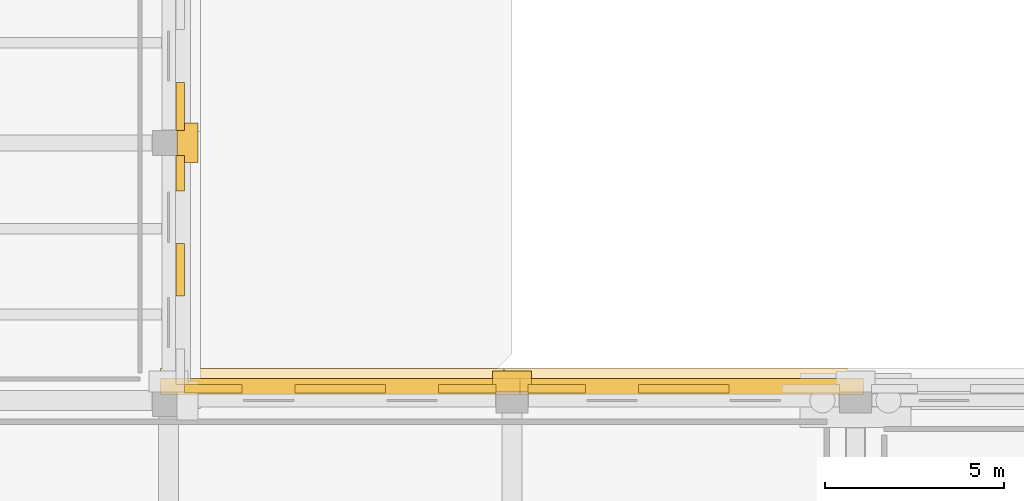
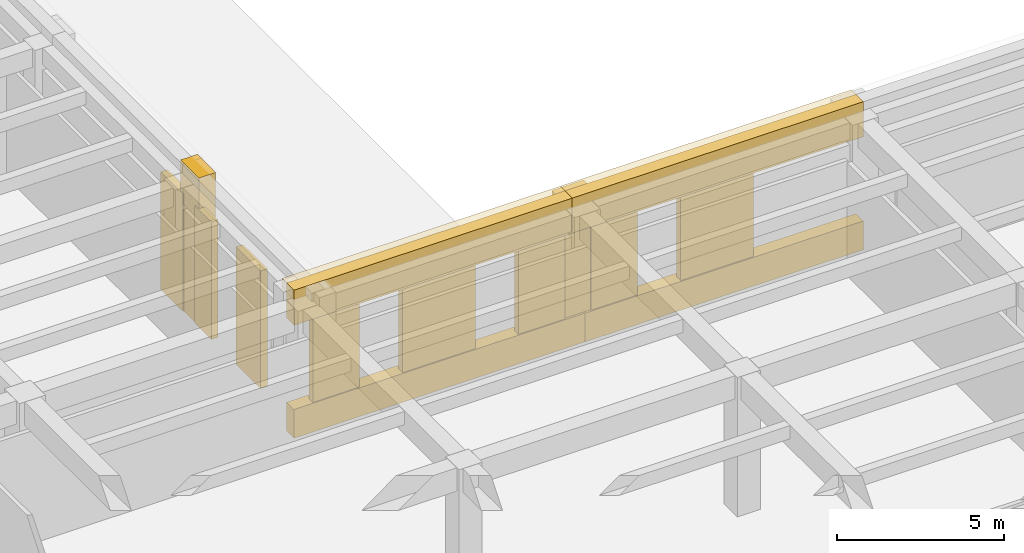
# One storey, part 46 of 51: 16 coverings.
"""IFC4 building model written with IfcOpenShell, lengths in metres."""

from ifc_helpers import new_model, si_unit, direction, frame, origin, origin_2d, place, context, subcontext, project, spatial, rectangle, extrude, material, layer, layer_set, type_object, element, save


model = new_model("IFC4")

# Units and contexts
model_context = context("Model", 3, precision=1e-05, world=origin(), true_north=direction((0.0, 1.0)))
body_context = subcontext(model_context, "Body", "Model", "MODEL_VIEW")
ifc_project = project(units=[si_unit("LENGTHUNIT", "METRE"), si_unit("AREAUNIT", "SQUARE_METRE"), si_unit("VOLUMEUNIT", "CUBIC_METRE"), si_unit("PLANEANGLEUNIT", "RADIAN"), si_unit("MASSUNIT", "GRAM", prefix="KILO")], contexts=[model_context])

# Site, building, storey
site_placement = place(None, origin())
site = spatial("IfcSite", under=ifc_project, at=site_placement, CompositionType="ELEMENT")
building_placement = place(site_placement, origin())
building = spatial("IfcBuilding", under=site, at=building_placement, Name="Bempovik Park Faculty of Sciences", CompositionType="ELEMENT")
storey_placement = place(building_placement, origin())
storey = spatial("IfcBuildingStorey", under=building, at=storey_placement, Name="L00", CompositionType="ELEMENT", Elevation=0.0)

# Coverings
ifc_material_1 = material(Name="Precast concrete C40/50", Category="concrete")
ifc_layer_1 = layer(ifc_material_1, 0.179931640625)
ifc_layer_set_1 = layer_set([ifc_layer_1], Name="Precast concrete C40/50")
covering_type_1 = type_object("IfcCoveringType", Name="CL-02 Classical Cornice Band 180mm", PredefinedType="CLADDING", material=ifc_layer_set_1)
for number, where, z_axis, x_axis, name in (
    (1, (122.39990234375, 87.530029296875, 5.0400390625), (0.0, 0.0, 1.0), (1.0, 0.0, 0.0), "L00 Classical Projecting Dentil Cornice EW-L00-5921"),
    (2, (132.0, 87.530029296875, 5.0400390625), (0.0, 0.0, 1.0), (1.0, 0.0, 0.0), "L00 Classical Projecting Dentil Cornice EW-L00-5932"),
):
    element("IfcCovering", number, at=place(storey_placement, frame(where, z_axis=z_axis, x_axis=x_axis)), inside=storey, type_object=covering_type_1, Name=name, PredefinedType="CLADDING", context=body_context, shape_type="SweptSolid", body=[
        extrude(rectangle(XDim=10.0458984375, YDim=0.719970703125, at=origin_2d()), origin(), (0.0, 0.0, 1.0), 0.360107421875),
    ])
ifc_material_2 = material(Name="White reconstituted limestone precast C40/50", Category="masonry")
ifc_layer_2 = layer(ifc_material_2, 0.239990234375)
ifc_layer_set_2 = layer_set([ifc_layer_2], Name="White reconstituted limestone precast C40/50")
covering_type_2 = type_object("IfcCoveringType", Name="CL-03 Classical Fluted Limestone Pilaster 240mm", PredefinedType="CLADDING", material=ifc_layer_set_2)
covering_1_placement = place(storey_placement, frame((118.1298828125, 94.199951171875, 0.0), z_axis=(0.0, 0.0, 1.0), x_axis=(1.0, 0.0, 0.0)))
element("IfcCovering", 3, at=covering_1_placement, inside=storey, type_object=covering_type_2, Name="L00 Classical Fluted Stone Pilaster PIL-BA-L00-1181-942", PredefinedType="CLADDING", context=body_context, shape_type="SweptSolid", body=[
    extrude(rectangle(XDim=0.580078125, YDim=1.10009765625, at=origin_2d()), origin(), (0.0, 0.0, 1.0), 5.39990234375),
])
covering_2_placement = place(storey_placement, frame((117.929931640625, 90.64990234375, 0.0), z_axis=(0.0, 0.0, 1.0), x_axis=(1.0, 0.0, 0.0)))
element("IfcCovering", 4, at=covering_2_placement, inside=storey, type_object=covering_type_2, Name="L00 White Limestone Wall Cheek EW-L00-5880-2", PredefinedType="CLADDING", context=body_context, shape_type="SweptSolid", body=[
    extrude(rectangle(XDim=0.239990234375, YDim=1.462158203125, at=origin_2d()), origin(), (0.0, 0.0, 1.0), 4.280029296875),
])
covering_3_placement = place(storey_placement, frame((117.929931640625, 93.3544921875, 0.0), z_axis=(0.0, 0.0, 1.0), x_axis=(1.0, 0.0, 0.0)))
element("IfcCovering", 5, at=covering_3_placement, inside=storey, type_object=covering_type_2, Name="L00 White Limestone Wall Cheek EW-L00-5880-4", PredefinedType="CLADDING", context=body_context, shape_type="SweptSolid", body=[
    extrude(rectangle(XDim=0.239990234375, YDim=0.98681640625, at=origin_2d()), origin(), (0.0, 0.0, 1.0), 4.280029296875),
])
covering_4_placement = place(storey_placement, frame((117.929931640625, 95.220947265625, 0.0), z_axis=(0.0, 0.0, 1.0), x_axis=(1.0, 0.0, 0.0)))
element("IfcCovering", 6, at=covering_4_placement, inside=storey, type_object=covering_type_2, Name="L00 White Limestone Wall Cheek EW-L00-5891-0", PredefinedType="CLADDING", context=body_context, shape_type="SweptSolid", body=[
    extrude(rectangle(XDim=0.239990234375, YDim=1.337890625, at=origin_2d()), origin(), (0.0, 0.0, 1.0), 4.280029296875),
])
covering_5_placement = place(storey_placement, frame((122.39990234375, 87.389892578125, 4.1201171875), z_axis=(0.0, 0.0, 1.0), x_axis=(1.0, 0.0, 0.0)))
element("IfcCovering", 7, at=covering_5_placement, inside=storey, type_object=covering_type_2, Name="L00 Classical Limestone Spandrel Entablature EW-L00-5921", PredefinedType="CLADDING", context=body_context, shape_type="SweptSolid", body=[
    extrude(rectangle(XDim=10.0458984375, YDim=0.43994140625, at=origin_2d()), origin(), (0.0, 0.0, 1.0), 1.280029296875),
])
covering_6_placement = place(storey_placement, frame((122.39990234375, 87.389892578125, 0.0), z_axis=(0.0, 0.0, 1.0), x_axis=(1.0, 0.0, 0.0)))
element("IfcCovering", 8, at=covering_6_placement, inside=storey, type_object=covering_type_2, Name="L00 Classical Limestone Sill Dado EW-L00-5921", PredefinedType="CLADDING", context=body_context, shape_type="SweptSolid", body=[
    extrude(rectangle(XDim=10.0458984375, YDim=0.43994140625, at=origin_2d()), origin(), (0.0, 0.0, 1.0), 1.050048828125),
])
covering_7_placement = place(storey_placement, frame((127.199951171875, 87.530029296875, 0.0), z_axis=(0.0, 0.0, 1.0), x_axis=(1.0, 0.0, 0.0)))
element("IfcCovering", 9, at=covering_7_placement, inside=storey, type_object=covering_type_2, Name="L00 Classical Fluted Stone Pilaster PIL-BA-L00-1272-875", PredefinedType="CLADDING", context=body_context, shape_type="SweptSolid", body=[
    extrude(rectangle(XDim=1.10009765625, YDim=0.580078125, at=origin_2d()), origin(), (0.0, 0.0, 1.0), 5.39990234375),
])
covering_8_placement = place(storey_placement, frame((118.85595703125, 87.330078125, 0.0), z_axis=(0.0, 0.0, 1.0), x_axis=(1.0, 0.0, 0.0)))
element("IfcCovering", 10, at=covering_8_placement, inside=storey, type_object=covering_type_2, Name="L00 White Limestone Wall Cheek EW-L00-5921-0", PredefinedType="CLADDING", context=body_context, shape_type="SweptSolid", body=[
    extrude(rectangle(XDim=1.60791015625, YDim=0.239990234375, at=origin_2d()), origin(), (0.0, 0.0, 1.0), 4.280029296875),
])
covering_9_placement = place(storey_placement, frame((122.39990234375, 87.330078125, 0.0), z_axis=(0.0, 0.0, 1.0), x_axis=(1.0, 0.0, 0.0)))
element("IfcCovering", 11, at=covering_9_placement, inside=storey, type_object=covering_type_2, Name="L00 White Limestone Wall Cheek EW-L00-5921-2", PredefinedType="CLADDING", context=body_context, shape_type="SweptSolid", body=[
    extrude(rectangle(XDim=2.520263671875, YDim=0.239990234375, at=origin_2d()), origin(), (0.0, 0.0, 1.0), 4.280029296875),
])
covering_10_placement = place(storey_placement, frame((125.944091796875, 87.330078125, 0.0), z_axis=(0.0, 0.0, 1.0), x_axis=(1.0, 0.0, 0.0)))
element("IfcCovering", 12, at=covering_10_placement, inside=storey, type_object=covering_type_2, Name="L00 White Limestone Wall Cheek EW-L00-5921-4", PredefinedType="CLADDING", context=body_context, shape_type="SweptSolid", body=[
    extrude(rectangle(XDim=1.60791015625, YDim=0.239990234375, at=origin_2d()), origin(), (0.0, 0.0, 1.0), 4.280029296875),
])
covering_11_placement = place(storey_placement, frame((132.0, 87.389892578125, 4.1201171875), z_axis=(0.0, 0.0, 1.0), x_axis=(1.0, 0.0, 0.0)))
element("IfcCovering", 13, at=covering_11_placement, inside=storey, type_object=covering_type_2, Name="L00 Classical Limestone Spandrel Entablature EW-L00-5932", PredefinedType="CLADDING", context=body_context, shape_type="SweptSolid", body=[
    extrude(rectangle(XDim=10.0458984375, YDim=0.43994140625, at=origin_2d()), origin(), (0.0, 0.0, 1.0), 1.280029296875),
])
covering_12_placement = place(storey_placement, frame((132.0, 87.389892578125, 0.0), z_axis=(0.0, 0.0, 1.0), x_axis=(1.0, 0.0, 0.0)))
element("IfcCovering", 14, at=covering_12_placement, inside=storey, type_object=covering_type_2, Name="L00 Classical Limestone Sill Dado EW-L00-5932", PredefinedType="CLADDING", context=body_context, shape_type="SweptSolid", body=[
    extrude(rectangle(XDim=10.0458984375, YDim=0.43994140625, at=origin_2d()), origin(), (0.0, 0.0, 1.0), 1.050048828125),
])
covering_13_placement = place(storey_placement, frame((128.4560546875, 87.330078125, 0.0), z_axis=(0.0, 0.0, 1.0), x_axis=(1.0, 0.0, 0.0)))
element("IfcCovering", 15, at=covering_13_placement, inside=storey, type_object=covering_type_2, Name="L00 White Limestone Wall Cheek EW-L00-5932-0", PredefinedType="CLADDING", context=body_context, shape_type="SweptSolid", body=[
    extrude(rectangle(XDim=1.60791015625, YDim=0.239990234375, at=origin_2d()), origin(), (0.0, 0.0, 1.0), 4.280029296875),
])
covering_14_placement = place(storey_placement, frame((132.0, 87.330078125, 0.0), z_axis=(0.0, 0.0, 1.0), x_axis=(1.0, 0.0, 0.0)))
element("IfcCovering", 16, at=covering_14_placement, inside=storey, type_object=covering_type_2, Name="L00 White Limestone Wall Cheek EW-L00-5932-2", PredefinedType="CLADDING", context=body_context, shape_type="SweptSolid", body=[
    extrude(rectangle(XDim=2.520263671875, YDim=0.239990234375, at=origin_2d()), origin(), (0.0, 0.0, 1.0), 4.280029296875),
])

save(model, "model.ifc")
